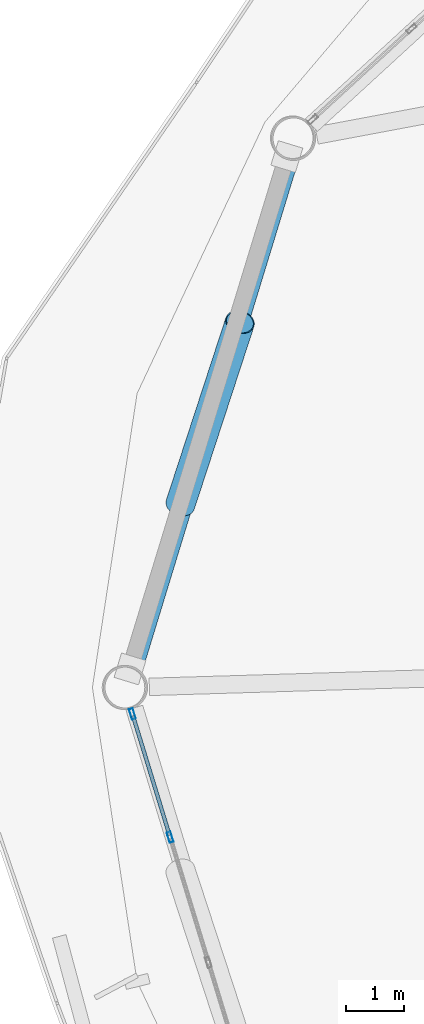
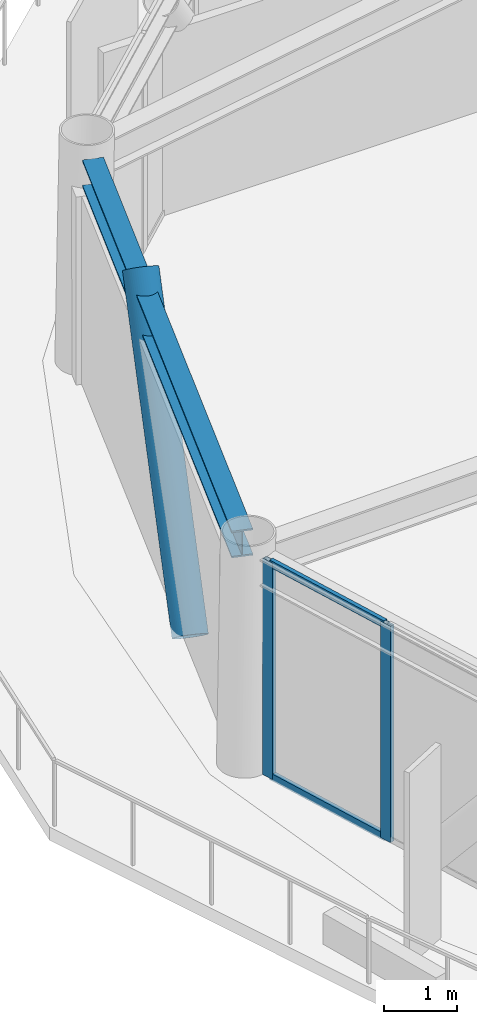
# One storey, part 8 of 23: 5 members, 1 beam, 1 element without a shape of its own.
"""IFC4 building model written with IfcOpenShell, lengths in metres."""

from ifc_helpers import new_model, si_unit, direction, frame, origin, origin_2d, place, context, subcontext, project, spatial, hollow_rectangle, hollow_circle, i_section, extrude, material, layer, layer_set, material_profile, profile_set, type_object, element, aggregate, save


model = new_model("IFC4")

# Units and contexts
model_context = context("Model", 3, precision=1e-05, world=origin(), true_north=direction((0.0, 1.0)))
body_context = subcontext(model_context, "Body", "Model", "MODEL_VIEW")
ifc_project = project(units=[si_unit("LENGTHUNIT", "METRE"), si_unit("AREAUNIT", "SQUARE_METRE"), si_unit("VOLUMEUNIT", "CUBIC_METRE"), si_unit("PLANEANGLEUNIT", "RADIAN"), si_unit("MASSUNIT", "GRAM", prefix="KILO")], contexts=[model_context])

# Site, building, storey
site_placement = place(None, origin())
site = spatial("IfcSite", under=ifc_project, at=site_placement, CompositionType="ELEMENT")
building_placement = place(site_placement, origin())
building = spatial("IfcBuilding", under=site, at=building_placement, Name="Varnakorn Sky Granary", CompositionType="ELEMENT")
storey_placement = place(building_placement, frame((0.0, 0.0, 150.0)))
storey = spatial("IfcBuildingStorey", under=building, at=storey_placement, Name="L37", CompositionType="ELEMENT", Elevation=150.0)

# Beam
ifc_material_1 = material(Name="Steel S355JR", Category="steel")
ifc_material_profile_1 = material_profile(ifc_material_1, i_section(OverallWidth=0.300048828125, OverallDepth=0.449951171875, WebThickness=0.013916015625, FlangeThickness=0.02587890625, at=origin_2d()), Name="HE 450 B")
ifc_profile_set_1 = profile_set([ifc_material_profile_1], Name="Steel S355JR")
beam_type = type_object("IfcBeamType", Name="BM-SPD-Z3", PredefinedType="SPANDREL", material=ifc_profile_set_1)
beam_placement = place(storey_placement, frame((-19.431640625, 9.1025390625, 3.4150390625), z_axis=(-0.292604774033, -0.956233468465, 0.0), x_axis=(0.956233468465, -0.292604774033, 0.0)))
element("IfcBeam", 1, at=beam_placement, inside=storey, type_object=beam_type, Name="Perimeter Spandrel Ring Beam RB06 L37", PredefinedType="SPANDREL", context=body_context, shape_type="SweptSolid", body=[
    extrude(i_section(OverallWidth=0.300048828125, OverallDepth=0.449951171875, WebThickness=0.013916015625, FlangeThickness=0.02587890625, at=origin_2d()), origin(), (0.0, 0.0, 1.0), 9.153076171875),
])

# Curtain wall, members
ifc_material_2 = material(Name="Anodised Bronze Aluminium Alloy 6063-T6", Category="aluminium")
ifc_layer = layer(ifc_material_2, 0.179931640625, Name="Anodised Bronze Aluminium Alloy 6063-T6")
ifc_layer_set = layer_set([ifc_layer], Name="Anodised Bronze Aluminium Alloy 6063-T6")
curtain_wall_type = type_object("IfcCurtainWallType", Name="CW-FRM-2", PredefinedType="USERDEFINED", material=ifc_layer_set)
curtain_wall_placement = place(storey_placement, origin())
curtain_wall = element("IfcCurtainWall", 2, at=curtain_wall_placement, inside=storey, type_object=curtain_wall_type, Name="Unitised Curtain Wall CW4 CW-L37-B07", ObjectType="CURTAIN WALL", PredefinedType="USERDEFINED")
ifc_material_profile_2 = material_profile(ifc_material_2, hollow_rectangle(XDim=0.070068359375, YDim=0.18505859375, WallThickness=0.00390625, at=origin_2d()), Name="ALU MULL 70x185")
ifc_profile_set_2 = profile_set([ifc_material_profile_2], Name="Anodised Bronze Aluminium Alloy 6063-T6")
member_type_1 = type_object("IfcMemberType", Name="CW-FRM-2-MULL", PredefinedType="MULLION", material=ifc_profile_set_2)
member_1_placement = place(storey_placement, frame((-21.4931640625, -2.580078125, 0.0), z_axis=(0.0, 0.0, 1.0), x_axis=(-0.95619021193, -0.292746099222, 0.0)))
member_1 = element("IfcMember", 3, at=member_1_placement, type_object=member_type_1, Name="CW4 mullion 4", PredefinedType="MULLION", context=body_context, shape_type="SweptSolid", body=[
    extrude(hollow_rectangle(XDim=0.070068359375, YDim=0.18505859375, WallThickness=0.00390625, at=origin_2d()), origin(), (0.0, 0.0, 1.0), 3.639892578125),
])
member_2_placement = place(storey_placement, frame((-22.1435546875, -0.455078125, 0.0), z_axis=(0.0, 0.0, 1.0), x_axis=(-0.95619021193, -0.292746099222, 0.0)))
member_2 = element("IfcMember", 4, at=member_2_placement, type_object=member_type_1, Name="CW4 mullion 5", PredefinedType="MULLION", context=body_context, shape_type="SweptSolid", body=[
    extrude(hollow_rectangle(XDim=0.070068359375, YDim=0.18505859375, WallThickness=0.00390625, at=origin_2d()), origin(), (0.0, 0.0, 1.0), 3.639892578125),
])
ifc_material_profile_3 = material_profile(ifc_material_2, hollow_rectangle(XDim=0.06494140625, YDim=0.1201171875, WallThickness=0.00341796875, at=origin_2d()), Name="ALU TRAN 65x120")
ifc_profile_set_3 = profile_set([ifc_material_profile_3], Name="Anodised Bronze Aluminium Alloy 6063-T6")
member_type_2 = type_object("IfcMemberType", Name="CW-FRM-2-TRAN", PredefinedType="USERDEFINED", material=ifc_profile_set_3)
member_3_placement = place(storey_placement, frame((-21.50341796875, -2.54638671875, 0.032470703125), z_axis=(-0.292682520034, 0.956209674949, 0.0), x_axis=(-0.956209674949, -0.292682520034, 0.0)))
member_3 = element("IfcMember", 5, at=member_3_placement, type_object=member_type_2, Name="CW4 transom 4.1", ObjectType="TRANSOM", PredefinedType="USERDEFINED", context=body_context, shape_type="SweptSolid", body=[
    extrude(hollow_rectangle(XDim=0.06494140625, YDim=0.1201171875, WallThickness=0.00341796875, at=origin_2d()), origin(), (0.0, 0.0, 1.0), 2.152099609375),
])
member_4_placement = place(storey_placement, frame((-21.50341796875, -2.54638671875, 3.607421875), z_axis=(-0.292682520034, 0.956209674949, 0.0), x_axis=(-0.956209674949, -0.292682520034, 0.0)))
member_4 = element("IfcMember", 6, at=member_4_placement, type_object=member_type_2, Name="CW4 transom 4.2", ObjectType="TRANSOM", PredefinedType="USERDEFINED", context=body_context, shape_type="SweptSolid", body=[
    extrude(hollow_rectangle(XDim=0.06494140625, YDim=0.1201171875, WallThickness=0.00341796875, at=origin_2d()), origin(), (0.0, 0.0, 1.0), 2.152099609375),
])
aggregate(curtain_wall, [member_1, member_2, member_3, member_4])

# Member
ifc_material_3 = material(Name="Steel S460M", Category="steel")
ifc_material_profile_4 = material_profile(ifc_material_3, hollow_circle(Radius=0.25390625, WallThickness=0.01806640625, at=origin_2d()), Name="CHS 508x18")
ifc_profile_set_4 = profile_set([ifc_material_profile_4], Name="Steel S460M")
member_type_3 = type_object("IfcMemberType", Name="MB-DIAG-T2", PredefinedType="BRACE", material=ifc_profile_set_4)
member_5_placement = place(storey_placement, frame((-21.31591796875, 3.15869140625, -0.1298828125), z_axis=(0.200280236362, 0.612885134996, 0.764368784177), x_axis=(-0.950534738247, 0.310618272783, 0.0)))
element("IfcMember", 7, at=member_5_placement, inside=storey, type_object=member_type_3, Name="Perimeter CHS Diagrid Brace DG06 L37", PredefinedType="BRACE", context=body_context, shape_type="SweptSolid", body=[
    extrude(hollow_circle(Radius=0.25390625, WallThickness=0.01806640625, at=origin_2d()), origin(), (0.0, 0.0, 1.0), 5.12841796875),
])

save(model, "model.ifc")
